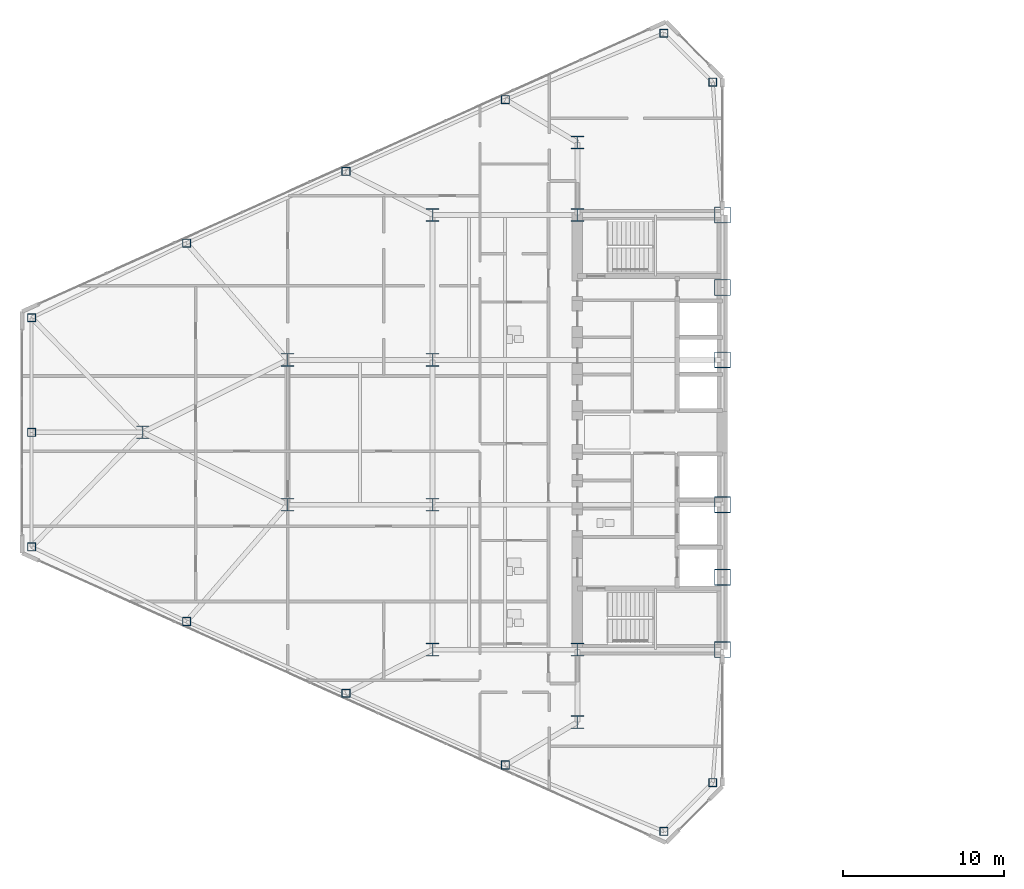
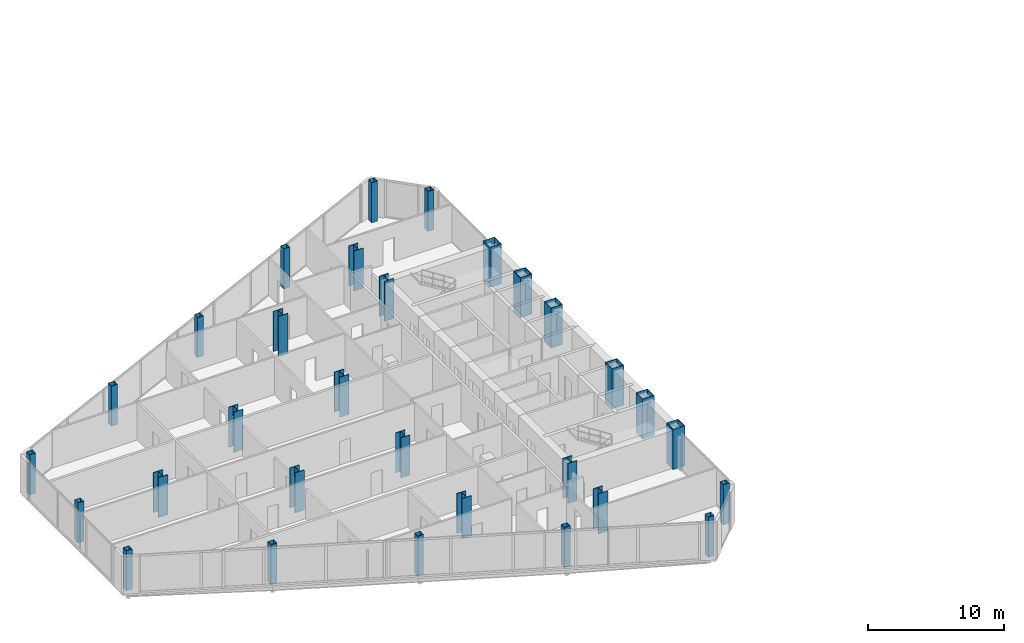
# One storey, part 1 of 27: 30 columns.
"""IFC4 building model written with IfcOpenShell, lengths in metres."""

from ifc_helpers import new_model, si_unit, direction, frame, origin, origin_2d, place, context, subcontext, project, spatial, hollow_rectangle, i_section, extrude, source, transform, mapped, material, material_profile, profile_set, type_object, type_shapes, element, save


model = new_model("IFC4")

# Units and contexts
model_context = context("Model", 3, precision=1e-05, world=origin(), true_north=direction((0.0, 1.0)))
body_context = subcontext(model_context, "Body", "Model", "MODEL_VIEW")
ifc_project = project(units=[si_unit("LENGTHUNIT", "METRE"), si_unit("AREAUNIT", "SQUARE_METRE"), si_unit("VOLUMEUNIT", "CUBIC_METRE"), si_unit("PLANEANGLEUNIT", "RADIAN"), si_unit("MASSUNIT", "GRAM", prefix="KILO")], contexts=[model_context])

# Site, building, storey
site_placement = place(None, origin())
site = spatial("IfcSite", under=ifc_project, at=site_placement, CompositionType="ELEMENT")
building_placement = place(site_placement, origin())
building = spatial("IfcBuilding", under=site, at=building_placement, Name="Seokmaru Belvedere", CompositionType="ELEMENT")
storey_placement = place(building_placement, frame((0.0, 0.0, 103.199951171875)))
storey = spatial("IfcBuildingStorey", under=building, at=storey_placement, Name="L27", CompositionType="ELEMENT", Elevation=103.199951171875)

# Columns
ifc_material_1 = material(Name="Steel SM355 (355 MPa)", Category="steel")
ifc_material_profile_1 = material_profile(ifc_material_1, hollow_rectangle(XDim=0.5, YDim=0.5, WallThickness=0.02001953125, at=origin_2d()), Name="HSS-500x500x20")
ifc_profile_set_1 = profile_set([ifc_material_profile_1], Name="Steel SM355 (355 MPa)")
column_type_1 = type_object("IfcColumnType", Name="Perimeter Facet Column HSS-500", PredefinedType="COLUMN", material=ifc_profile_set_1)
shared_shape_1 = source(origin(), body_context, "Body", "SweptSolid", [
    extrude(hollow_rectangle(XDim=0.5, YDim=0.5, WallThickness=0.02001953125, at=origin_2d()), origin(), (0.0, 0.0, 1.0), 3.60009765625),
])
type_shapes(column_type_1, [shared_shape_1])
for number, where, z_axis, x_axis, name in (
    (1, (-28.10009765625, -21.75146484375, 0.0), (0.0, 0.0, 1.0), (1.0, 0.0, 0.0), "L27 Column WF1"),
    (2, (-28.10009765625, 21.75146484375, 0.0), (0.0, 0.0, 1.0), (1.0, 0.0, 0.0), "L27 Column WF2"),
    (3, (-31.13134765625, 24.782958984375, 0.0), (0.0, 0.0, 1.0), (1.0, 0.0, 0.0), "L27 Column WF3"),
    (4, (-70.39990234375, 7.112060546875, 0.0), (0.0, 0.0, 1.0), (1.0, 0.0, 0.0), "L27 Column WF4"),
    (5, (-70.39990234375, -7.112060546875, 0.0), (0.0, 0.0, 1.0), (1.0, 0.0, 0.0), "L27 Column WF5"),
    (6, (-31.13134765625, -24.782958984375, 0.0), (0.0, 0.0, 1.0), (1.0, 0.0, 0.0), "L27 Column WF6"),
    (7, (-40.97265625, -20.661376953125, 0.0), (0.0, 0.0, 1.0), (1.0, 0.0, 0.0), "L27 Column WFLK_S1"),
    (8, (-50.875, -16.205322265625, 0.0), (0.0, 0.0, 1.0), (1.0, 0.0, 0.0), "L27 Column WFLK_S2"),
    (9, (-60.777587890625, -11.749267578125, 0.0), (0.0, 0.0, 1.0), (1.0, 0.0, 0.0), "L27 Column WFLK_S3"),
    (10, (-40.97265625, 20.661376953125, 0.0), (0.0, 0.0, 1.0), (1.0, 0.0, 0.0), "L27 Column WFLK_N1"),
    (11, (-50.875, 16.205322265625, 0.0), (0.0, 0.0, 1.0), (1.0, 0.0, 0.0), "L27 Column WFLK_N2"),
    (12, (-60.777587890625, 11.749267578125, 0.0), (0.0, 0.0, 1.0), (1.0, 0.0, 0.0), "L27 Column WFLK_N3"),
    (13, (-70.39990234375, 0.0, 0.0), (0.0, 0.0, 1.0), (1.0, 0.0, 0.0), "L27 Column WF_APXM"),
):
    element("IfcColumn", number, at=place(storey_placement, frame(where, z_axis=z_axis, x_axis=x_axis)), inside=storey, type_object=column_type_1, Name=name, PredefinedType="COLUMN", context=body_context, shape_type="MappedRepresentation", body=[
        mapped(shared_shape_1, transform((0.0, 0.0, 0.0), scale=1.0)),
    ])
ifc_material_2 = material(Name="Steel HSA650 (650 MPa)", Category="steel")
ifc_material_profile_2 = material_profile(ifc_material_2, hollow_rectangle(XDim=1.0, YDim=1.0, WallThickness=0.0419921875, at=origin_2d()), Name="BOX-1000x1000x42")
ifc_profile_set_2 = profile_set([ifc_material_profile_2], Name="Steel HSA650 (650 MPa)")
column_type_2 = type_object("IfcColumnType", Name="Portal Spine Column BOX-1000", PredefinedType="COLUMN", material=ifc_profile_set_2)
shared_shape_2 = source(origin(), body_context, "Body", "SweptSolid", [
    extrude(hollow_rectangle(XDim=1.0, YDim=1.0, WallThickness=0.0419921875, at=origin_2d()), origin(), (0.0, 0.0, 1.0), 3.60009765625),
])
type_shapes(column_type_2, [shared_shape_2])
for number, where, z_axis, x_axis, name in (
    (14, (-27.5, -13.5, 0.0), (0.0, 0.0, 1.0), (1.0, 0.0, 0.0), "L27 Column WS1"),
    (15, (-27.5, -9.0, 0.0), (0.0, 0.0, 1.0), (1.0, 0.0, 0.0), "L27 Column WS2"),
    (16, (-27.5, -4.5, 0.0), (0.0, 0.0, 1.0), (1.0, 0.0, 0.0), "L27 Column WS3"),
    (17, (-27.5, 4.5, 0.0), (0.0, 0.0, 1.0), (1.0, 0.0, 0.0), "L27 Column WS4"),
    (18, (-27.5, 9.0, 0.0), (0.0, 0.0, 1.0), (1.0, 0.0, 0.0), "L27 Column WS5"),
    (19, (-27.5, 13.5, 0.0), (0.0, 0.0, 1.0), (1.0, 0.0, 0.0), "L27 Column WS6"),
):
    element("IfcColumn", number, at=place(storey_placement, frame(where, z_axis=z_axis, x_axis=x_axis)), inside=storey, type_object=column_type_2, Name=name, PredefinedType="COLUMN", context=body_context, shape_type="MappedRepresentation", body=[
        mapped(shared_shape_2, transform((0.0, 0.0, 0.0), scale=1.0)),
    ])
ifc_material_profile_3 = material_profile(ifc_material_1, i_section(OverallWidth=0.800048828125, OverallDepth=0.800048828125, WebThickness=0.031982421875, FlangeThickness=0.050048828125, at=origin_2d()), Name="H-800x800x32x50")
ifc_profile_set_3 = profile_set([ifc_material_profile_3], Name="Steel SM355 (355 MPa)")
column_type_3 = type_object("IfcColumnType", Name="Lower-Mid Interior Column H-800", PredefinedType="COLUMN", material=ifc_profile_set_3)
shared_shape_3 = source(origin(), body_context, "Body", "SweptSolid", [
    extrude(i_section(OverallWidth=0.800048828125, OverallDepth=0.800048828125, WebThickness=0.031982421875, FlangeThickness=0.050048828125, at=origin_2d()), origin(), (0.0, 0.0, 1.0), 3.60009765625),
])
type_shapes(column_type_3, [shared_shape_3])
for number, where, z_axis, x_axis, name in (
    (20, (-36.5, -18.0, 0.0), (0.0, 0.0, 1.0), (1.0, 0.0, 0.0), "L27 Column WC1"),
    (21, (-36.5, -13.5, 0.0), (0.0, 0.0, 1.0), (1.0, 0.0, 0.0), "L27 Column WC2"),
    (22, (-36.5, 13.5, 0.0), (0.0, 0.0, 1.0), (1.0, 0.0, 0.0), "L27 Column WC3"),
    (23, (-36.5, 18.0, 0.0), (0.0, 0.0, 1.0), (1.0, 0.0, 0.0), "L27 Column WC4"),
    (24, (-45.5, -13.5, 0.0), (0.0, 0.0, 1.0), (1.0, 0.0, 0.0), "L27 Column WG5_1"),
    (25, (-45.5, -4.5, 0.0), (0.0, 0.0, 1.0), (1.0, 0.0, 0.0), "L27 Column WG5_2"),
    (26, (-45.5, 4.5, 0.0), (0.0, 0.0, 1.0), (1.0, 0.0, 0.0), "L27 Column WG5_3"),
    (27, (-45.5, 13.5, 0.0), (0.0, 0.0, 1.0), (1.0, 0.0, 0.0), "L27 Column WG5_4"),
    (28, (-54.5, -4.5, 0.0), (0.0, 0.0, 1.0), (1.0, 0.0, 0.0), "L27 Column WG4P_1"),
    (29, (-54.5, 4.5, 0.0), (0.0, 0.0, 1.0), (1.0, 0.0, 0.0), "L27 Column WG4P_2"),
    (30, (-63.5, 0.0, 0.0), (0.0, 0.0, 1.0), (1.0, 0.0, 0.0), "L27 Column WG3P_1"),
):
    element("IfcColumn", number, at=place(storey_placement, frame(where, z_axis=z_axis, x_axis=x_axis)), inside=storey, type_object=column_type_3, Name=name, PredefinedType="COLUMN", context=body_context, shape_type="MappedRepresentation", body=[
        mapped(shared_shape_3, transform((0.0, 0.0, 0.0), scale=1.0)),
    ])

save(model, "model.ifc")
